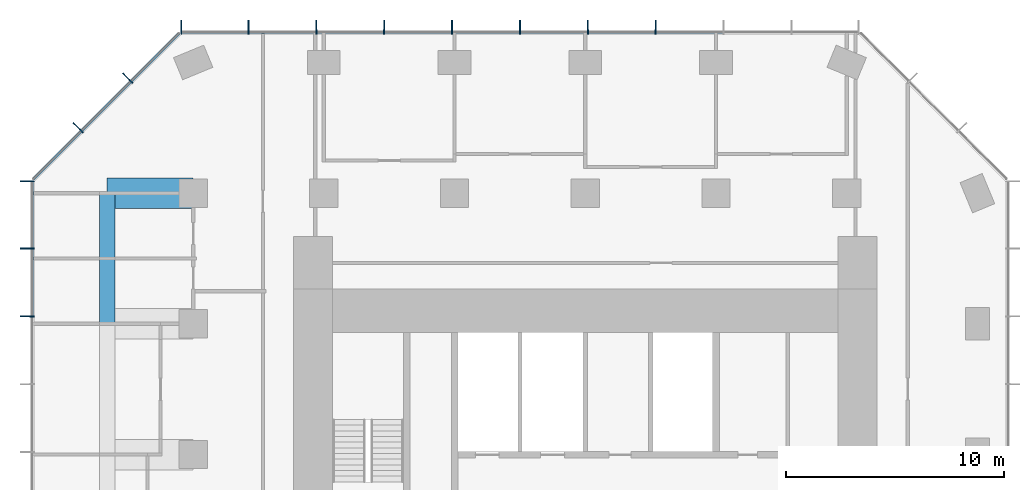
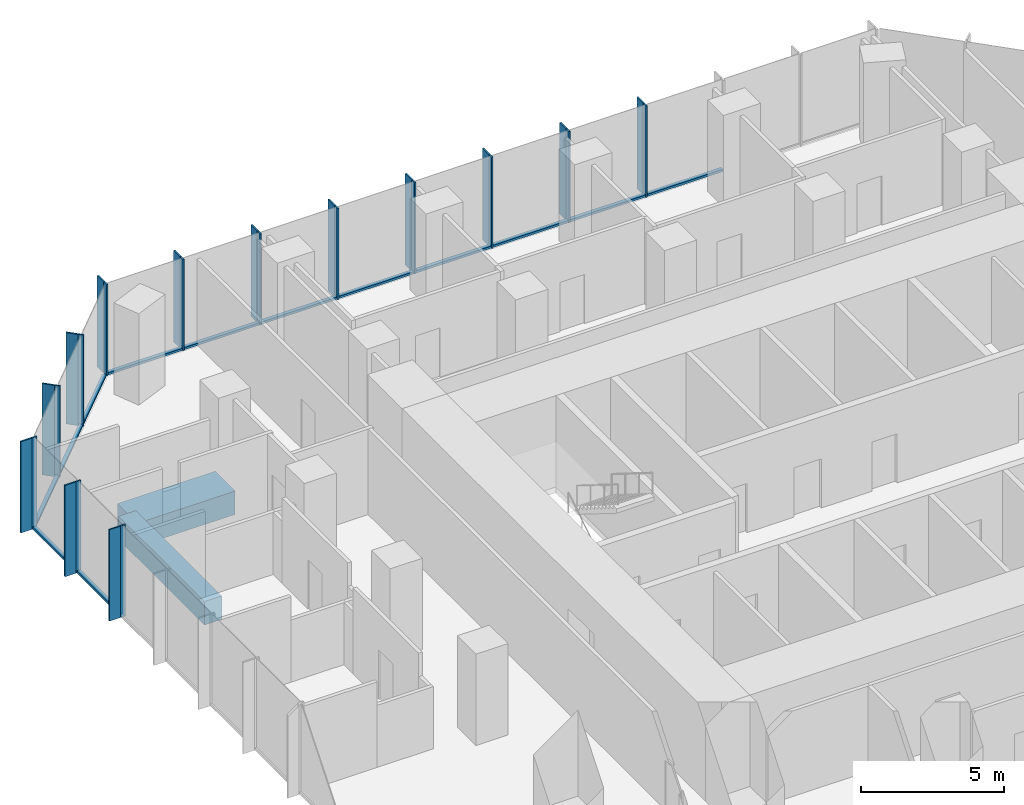
# One storey, part 5 of 11: 39 members, 2 beams, 3 elements without a shape of their own.
"""IFC4 building model written with IfcOpenShell, lengths in metres."""

from ifc_helpers import new_model, si_unit, direction, frame, origin, origin_2d, place, context, subcontext, project, spatial, rectangle, extrude, material, layer, layer_set, material_profile, profile_set, type_object, element, aggregate, save


model = new_model("IFC4")

# Units and contexts
model_context = context("Model", 3, precision=1e-05, world=origin(), true_north=direction((0.0, 1.0)))
body_context = subcontext(model_context, "Body", "Model", "MODEL_VIEW")
ifc_project = project(units=[si_unit("LENGTHUNIT", "METRE"), si_unit("AREAUNIT", "SQUARE_METRE"), si_unit("VOLUMEUNIT", "CUBIC_METRE"), si_unit("PLANEANGLEUNIT", "RADIAN"), si_unit("MASSUNIT", "GRAM", prefix="KILO")], contexts=[model_context])

# Site, building, storey
site_placement = place(None, origin())
site = spatial("IfcSite", under=ifc_project, at=site_placement, CompositionType="ELEMENT")
building_placement = place(site_placement, origin())
building = spatial("IfcBuilding", under=site, at=building_placement, Name="Highveld Stack Headquarters", CompositionType="ELEMENT")
storey_placement = place(building_placement, frame((0.0, 0.0, 216.199951171875)))
storey = spatial("IfcBuildingStorey", under=building, at=storey_placement, Name="L53", CompositionType="ELEMENT", Elevation=216.199951171875)

# Beam
ifc_material_1 = material(Name="Concrete C60/75", Category="concrete")
ifc_material_profile_1 = material_profile(ifc_material_1, rectangle(XDim=1.39990234375, YDim=1.0, at=origin_2d()), Name="RC 1400x1000")
ifc_profile_set_1 = profile_set([ifc_material_profile_1], Name="Concrete C60/75")
beam_type_1 = type_object("IfcBeamType", Name="CANTILEVER RIB RC 1400x1000", PredefinedType="USERDEFINED", material=ifc_profile_set_1)
beam_1_placement = place(storey_placement, frame((-12.0, 18.0, -0.75), z_axis=(-1.0, 0.0, 0.0), x_axis=(0.0, -1.0, 0.0)))
element("IfcBeam", 1, at=beam_1_placement, inside=storey, type_object=beam_type_1, Name="Cantilever rib 4/H L53", ObjectType="CANTILEVER RIB", PredefinedType="USERDEFINED", context=body_context, shape_type="SweptSolid", body=[
    extrude(rectangle(XDim=1.39990234375, YDim=1.0, at=origin_2d()), origin(), (0.0, 0.0, 1.0), 3.949951171875),
])

# Curtain wall, members
ifc_material_2 = material(Name="Aluminium bronze anodised", Category="aluminium")
ifc_layer_1 = layer(ifc_material_2, 0.199951171875)
ifc_layer_set_1 = layer_set([ifc_layer_1], Name="Aluminium bronze anodised")
curtain_wall_type_1 = type_object("IfcCurtainWallType", Name="CW1 TOWER UNITISED CURTAIN WALL", PredefinedType="NOTDEFINED", material=ifc_layer_set_1)
curtain_wall_1_placement = place(storey_placement, origin())
curtain_wall_1 = element("IfcCurtainWall", 2, at=curtain_wall_1_placement, inside=storey, type_object=curtain_wall_type_1, Name="Curtain wall CW1 L53 N", PredefinedType="NOTDEFINED")
ifc_material_3 = material(Name="Aluminium bronze anodised", Category="aluminium")
ifc_material_profile_2 = material_profile(ifc_material_3, rectangle(XDim=0.449951171875, YDim=0.06005859375, at=origin_2d()), Name="FIN 450x60")
ifc_profile_set_2 = profile_set([ifc_material_profile_2], Name="Aluminium bronze anodised")
member_type_1 = type_object("IfcMemberType", Name="CW1 BRONZE FIN 450x60", PredefinedType="USERDEFINED", material=ifc_profile_set_2)
member_1_placement = place(storey_placement, frame((9.23193359375, 25.72509765625, 0.0), z_axis=(0.0, 0.0, 1.0), x_axis=(0.0, -1.0, 0.0)))
member_1 = element("IfcMember", 3, at=member_1_placement, type_object=member_type_1, Name="CW1 fin L53 4", ObjectType="FIN", PredefinedType="USERDEFINED", context=body_context, shape_type="SweptSolid", body=[
    extrude(rectangle(XDim=0.449951171875, YDim=0.06005859375, at=origin_2d()), origin(), (0.0, 0.0, 1.0), 3.900146484375),
])
member_2_placement = place(storey_placement, frame((6.115966796875, 25.72509765625, 0.0), z_axis=(0.0, 0.0, 1.0), x_axis=(0.0, -1.0, 0.0)))
member_2 = element("IfcMember", 4, at=member_2_placement, type_object=member_type_1, Name="CW1 fin L53 5", ObjectType="FIN", PredefinedType="USERDEFINED", context=body_context, shape_type="SweptSolid", body=[
    extrude(rectangle(XDim=0.449951171875, YDim=0.06005859375, at=origin_2d()), origin(), (0.0, 0.0, 1.0), 3.900146484375),
])
member_3_placement = place(storey_placement, frame((3.0, 25.72509765625, 0.0), z_axis=(0.0, 0.0, 1.0), x_axis=(0.0, -1.0, 0.0)))
member_3 = element("IfcMember", 5, at=member_3_placement, type_object=member_type_1, Name="CW1 fin L53 6", ObjectType="FIN", PredefinedType="USERDEFINED", context=body_context, shape_type="SweptSolid", body=[
    extrude(rectangle(XDim=0.449951171875, YDim=0.06005859375, at=origin_2d()), origin(), (0.0, 0.0, 1.0), 3.900146484375),
])
member_4_placement = place(storey_placement, frame((-0.115966796875, 25.72509765625, 0.0), z_axis=(0.0, 0.0, 1.0), x_axis=(0.0, -1.0, 0.0)))
member_4 = element("IfcMember", 6, at=member_4_placement, type_object=member_type_1, Name="CW1 fin L53 7", ObjectType="FIN", PredefinedType="USERDEFINED", context=body_context, shape_type="SweptSolid", body=[
    extrude(rectangle(XDim=0.449951171875, YDim=0.06005859375, at=origin_2d()), origin(), (0.0, 0.0, 1.0), 3.900146484375),
])
member_5_placement = place(storey_placement, frame((-3.23193359375, 25.72509765625, 0.0), z_axis=(0.0, 0.0, 1.0), x_axis=(0.0, -1.0, 0.0)))
member_5 = element("IfcMember", 7, at=member_5_placement, type_object=member_type_1, Name="CW1 fin L53 8", ObjectType="FIN", PredefinedType="USERDEFINED", context=body_context, shape_type="SweptSolid", body=[
    extrude(rectangle(XDim=0.449951171875, YDim=0.06005859375, at=origin_2d()), origin(), (0.0, 0.0, 1.0), 3.900146484375),
])
member_6_placement = place(storey_placement, frame((-6.347900390625, 25.72509765625, 0.0), z_axis=(0.0, 0.0, 1.0), x_axis=(0.0, -1.0, 0.0)))
member_6 = element("IfcMember", 8, at=member_6_placement, type_object=member_type_1, Name="CW1 fin L53 9", ObjectType="FIN", PredefinedType="USERDEFINED", context=body_context, shape_type="SweptSolid", body=[
    extrude(rectangle(XDim=0.449951171875, YDim=0.06005859375, at=origin_2d()), origin(), (0.0, 0.0, 1.0), 3.900146484375),
])
member_7_placement = place(storey_placement, frame((-9.4638671875, 25.72509765625, 0.0), z_axis=(0.0, 0.0, 1.0), x_axis=(0.0, -1.0, 0.0)))
member_7 = element("IfcMember", 9, at=member_7_placement, type_object=member_type_1, Name="CW1 fin L53 10", ObjectType="FIN", PredefinedType="USERDEFINED", context=body_context, shape_type="SweptSolid", body=[
    extrude(rectangle(XDim=0.449951171875, YDim=0.06005859375, at=origin_2d()), origin(), (0.0, 0.0, 1.0), 3.900146484375),
])
member_8_placement = place(storey_placement, frame((-12.54736328125, 25.72509765625, 0.0), z_axis=(0.0, 0.0, 1.0), x_axis=(0.0, -1.0, 0.0)))
member_8 = element("IfcMember", 10, at=member_8_placement, type_object=member_type_1, Name="CW1 fin L53 11", ObjectType="FIN", PredefinedType="USERDEFINED", context=body_context, shape_type="SweptSolid", body=[
    extrude(rectangle(XDim=0.449951171875, YDim=0.06005859375, at=origin_2d()), origin(), (0.0, 0.0, 1.0), 3.900146484375),
])

curtain_wall_2_placement = place(storey_placement, origin())
curtain_wall_2 = element("IfcCurtainWall", 11, at=curtain_wall_2_placement, inside=storey, type_object=curtain_wall_type_1, Name="Curtain wall CW1 L53 W", PredefinedType="NOTDEFINED")
member_9_placement = place(storey_placement, frame((-19.72509765625, 18.54736328125, 0.0), z_axis=(0.0, 0.0, 1.0), x_axis=(1.0, 0.0, 0.0)))
member_9 = element("IfcMember", 12, at=member_9_placement, type_object=member_type_1, Name="CW1 fin L53 1", ObjectType="FIN", PredefinedType="USERDEFINED", context=body_context, shape_type="SweptSolid", body=[
    extrude(rectangle(XDim=0.449951171875, YDim=0.06005859375, at=origin_2d()), origin(), (0.0, 0.0, 1.0), 3.900146484375),
])
member_10_placement = place(storey_placement, frame((-19.72509765625, 15.4638671875, 0.0), z_axis=(0.0, 0.0, 1.0), x_axis=(1.0, 0.0, 0.0)))
member_10 = element("IfcMember", 13, at=member_10_placement, type_object=member_type_1, Name="CW1 fin L53 2", ObjectType="FIN", PredefinedType="USERDEFINED", context=body_context, shape_type="SweptSolid", body=[
    extrude(rectangle(XDim=0.449951171875, YDim=0.06005859375, at=origin_2d()), origin(), (0.0, 0.0, 1.0), 3.900146484375),
])
member_11_placement = place(storey_placement, frame((-19.72509765625, 12.347900390625, 0.0), z_axis=(0.0, 0.0, 1.0), x_axis=(1.0, 0.0, 0.0)))
member_11 = element("IfcMember", 14, at=member_11_placement, type_object=member_type_1, Name="CW1 fin L53 3", ObjectType="FIN", PredefinedType="USERDEFINED", context=body_context, shape_type="SweptSolid", body=[
    extrude(rectangle(XDim=0.449951171875, YDim=0.06005859375, at=origin_2d()), origin(), (0.0, 0.0, 1.0), 3.900146484375),
])

# Member
ifc_material_4 = material(Name="Aluminium bronze anodised", Category="aluminium")
ifc_material_profile_3 = material_profile(ifc_material_4, rectangle(XDim=0.199951171875, YDim=0.06494140625, at=origin_2d()), Name="CW1 MULLION 65x200")
ifc_profile_set_3 = profile_set([ifc_material_profile_3], Name="Aluminium bronze anodised")
member_type_2 = type_object("IfcMemberType", Name="CW1 MULLION 65x200", PredefinedType="MULLION", material=ifc_profile_set_3)
member_12_placement = place(storey_placement, frame((9.23193359375, 25.39990234375, 0.0), z_axis=(0.0, 0.0, 1.0), x_axis=(0.0, -1.0, 0.0)))
member_12 = element("IfcMember", 15, at=member_12_placement, type_object=member_type_2, Name="CW1 mullion L53 4", PredefinedType="MULLION", context=body_context, shape_type="SweptSolid", body=[
    extrude(rectangle(XDim=0.199951171875, YDim=0.06494140625, at=origin_2d()), origin(), (0.0, 0.0, 1.0), 3.900146484375),
])

member_13_placement = place(storey_placement, frame((6.115966796875, 25.39990234375, 0.0), z_axis=(0.0, 0.0, 1.0), x_axis=(0.0, -1.0, 0.0)))
member_13 = element("IfcMember", 16, at=member_13_placement, type_object=member_type_2, Name="CW1 mullion L53 5", PredefinedType="MULLION", context=body_context, shape_type="SweptSolid", body=[
    extrude(rectangle(XDim=0.199951171875, YDim=0.06494140625, at=origin_2d()), origin(), (0.0, 0.0, 1.0), 3.900146484375),
])

member_14_placement = place(storey_placement, frame((3.0, 25.39990234375, 0.0), z_axis=(0.0, 0.0, 1.0), x_axis=(0.0, -1.0, 0.0)))
member_14 = element("IfcMember", 17, at=member_14_placement, type_object=member_type_2, Name="CW1 mullion L53 6", PredefinedType="MULLION", context=body_context, shape_type="SweptSolid", body=[
    extrude(rectangle(XDim=0.199951171875, YDim=0.06494140625, at=origin_2d()), origin(), (0.0, 0.0, 1.0), 3.900146484375),
])

member_15_placement = place(storey_placement, frame((-0.115966796875, 25.39990234375, 0.0), z_axis=(0.0, 0.0, 1.0), x_axis=(0.0, -1.0, 0.0)))
member_15 = element("IfcMember", 18, at=member_15_placement, type_object=member_type_2, Name="CW1 mullion L53 7", PredefinedType="MULLION", context=body_context, shape_type="SweptSolid", body=[
    extrude(rectangle(XDim=0.199951171875, YDim=0.06494140625, at=origin_2d()), origin(), (0.0, 0.0, 1.0), 3.900146484375),
])

member_16_placement = place(storey_placement, frame((-3.23193359375, 25.39990234375, 0.0), z_axis=(0.0, 0.0, 1.0), x_axis=(0.0, -1.0, 0.0)))
member_16 = element("IfcMember", 19, at=member_16_placement, type_object=member_type_2, Name="CW1 mullion L53 8", PredefinedType="MULLION", context=body_context, shape_type="SweptSolid", body=[
    extrude(rectangle(XDim=0.199951171875, YDim=0.06494140625, at=origin_2d()), origin(), (0.0, 0.0, 1.0), 3.900146484375),
])

member_17_placement = place(storey_placement, frame((-6.347900390625, 25.39990234375, 0.0), z_axis=(0.0, 0.0, 1.0), x_axis=(0.0, -1.0, 0.0)))
member_17 = element("IfcMember", 20, at=member_17_placement, type_object=member_type_2, Name="CW1 mullion L53 9", PredefinedType="MULLION", context=body_context, shape_type="SweptSolid", body=[
    extrude(rectangle(XDim=0.199951171875, YDim=0.06494140625, at=origin_2d()), origin(), (0.0, 0.0, 1.0), 3.900146484375),
])

member_18_placement = place(storey_placement, frame((-9.4638671875, 25.39990234375, 0.0), z_axis=(0.0, 0.0, 1.0), x_axis=(0.0, -1.0, 0.0)))
member_18 = element("IfcMember", 21, at=member_18_placement, type_object=member_type_2, Name="CW1 mullion L53 10", PredefinedType="MULLION", context=body_context, shape_type="SweptSolid", body=[
    extrude(rectangle(XDim=0.199951171875, YDim=0.06494140625, at=origin_2d()), origin(), (0.0, 0.0, 1.0), 3.900146484375),
])

member_19_placement = place(storey_placement, frame((-12.54736328125, 25.39990234375, 0.0), z_axis=(0.0, 0.0, 1.0), x_axis=(0.0, -1.0, 0.0)))
member_19 = element("IfcMember", 22, at=member_19_placement, type_object=member_type_2, Name="CW1 mullion L53 11", PredefinedType="MULLION", context=body_context, shape_type="SweptSolid", body=[
    extrude(rectangle(XDim=0.199951171875, YDim=0.06494140625, at=origin_2d()), origin(), (0.0, 0.0, 1.0), 3.900146484375),
])

member_20_placement = place(storey_placement, frame((-19.39990234375, 18.54736328125, 0.0), z_axis=(0.0, 0.0, 1.0), x_axis=(1.0, 0.0, 0.0)))
member_20 = element("IfcMember", 23, at=member_20_placement, type_object=member_type_2, Name="CW1 mullion L53 1", PredefinedType="MULLION", context=body_context, shape_type="SweptSolid", body=[
    extrude(rectangle(XDim=0.199951171875, YDim=0.06494140625, at=origin_2d()), origin(), (0.0, 0.0, 1.0), 3.900146484375),
])

member_21_placement = place(storey_placement, frame((-19.39990234375, 15.4638671875, 0.0), z_axis=(0.0, 0.0, 1.0), x_axis=(1.0, 0.0, 0.0)))
member_21 = element("IfcMember", 24, at=member_21_placement, type_object=member_type_2, Name="CW1 mullion L53 2", PredefinedType="MULLION", context=body_context, shape_type="SweptSolid", body=[
    extrude(rectangle(XDim=0.199951171875, YDim=0.06494140625, at=origin_2d()), origin(), (0.0, 0.0, 1.0), 3.900146484375),
])

member_22_placement = place(storey_placement, frame((-19.39990234375, 12.347900390625, 0.0), z_axis=(0.0, 0.0, 1.0), x_axis=(1.0, 0.0, 0.0)))
member_22 = element("IfcMember", 25, at=member_22_placement, type_object=member_type_2, Name="CW1 mullion L53 3", PredefinedType="MULLION", context=body_context, shape_type="SweptSolid", body=[
    extrude(rectangle(XDim=0.199951171875, YDim=0.06494140625, at=origin_2d()), origin(), (0.0, 0.0, 1.0), 3.900146484375),
])

ifc_material_5 = material(Name="Aluminium bronze anodised", Category="aluminium")
ifc_material_profile_4 = material_profile(ifc_material_5, rectangle(XDim=0.14990234375, YDim=0.10009765625, at=origin_2d()), Name="CW1 TRANSOM 150x100")
ifc_profile_set_4 = profile_set([ifc_material_profile_4], Name="Aluminium bronze anodised")
member_type_3 = type_object("IfcMemberType", Name="CW1 STACK TRANSOM 150x100", PredefinedType="USERDEFINED", material=ifc_profile_set_4)
member_23_placement = place(storey_placement, frame((12.3154296875, 25.39990234375, 0.050048828125), z_axis=(-1.0, 0.0, 0.0), x_axis=(0.0, -1.0, 0.0)))
member_23 = element("IfcMember", 26, at=member_23_placement, type_object=member_type_3, Name="CW1 transom L53 3.1", ObjectType="TRANSOM", PredefinedType="USERDEFINED", context=body_context, shape_type="SweptSolid", body=[
    extrude(rectangle(XDim=0.14990234375, YDim=0.10009765625, at=origin_2d()), origin(), (0.0, 0.0, 1.0), 3.051025390625),
])

member_24_placement = place(storey_placement, frame((9.199462890625, 25.39990234375, 0.050048828125), z_axis=(-1.0, 0.0, 0.0), x_axis=(0.0, -1.0, 0.0)))
member_24 = element("IfcMember", 27, at=member_24_placement, type_object=member_type_3, Name="CW1 transom L53 4.1", ObjectType="TRANSOM", PredefinedType="USERDEFINED", context=body_context, shape_type="SweptSolid", body=[
    extrude(rectangle(XDim=0.14990234375, YDim=0.10009765625, at=origin_2d()), origin(), (0.0, 0.0, 1.0), 3.051025390625),
])

member_25_placement = place(storey_placement, frame((6.08349609375, 25.39990234375, 0.050048828125), z_axis=(-1.0, 0.0, 0.0), x_axis=(0.0, -1.0, 0.0)))
member_25 = element("IfcMember", 28, at=member_25_placement, type_object=member_type_3, Name="CW1 transom L53 5.1", ObjectType="TRANSOM", PredefinedType="USERDEFINED", context=body_context, shape_type="SweptSolid", body=[
    extrude(rectangle(XDim=0.14990234375, YDim=0.10009765625, at=origin_2d()), origin(), (0.0, 0.0, 1.0), 3.051025390625),
])

member_26_placement = place(storey_placement, frame((2.967529296875, 25.39990234375, 0.050048828125), z_axis=(-1.0, 0.0, 0.0), x_axis=(0.0, -1.0, 0.0)))
member_26 = element("IfcMember", 29, at=member_26_placement, type_object=member_type_3, Name="CW1 transom L53 6.1", ObjectType="TRANSOM", PredefinedType="USERDEFINED", context=body_context, shape_type="SweptSolid", body=[
    extrude(rectangle(XDim=0.14990234375, YDim=0.10009765625, at=origin_2d()), origin(), (0.0, 0.0, 1.0), 3.051025390625),
])

member_27_placement = place(storey_placement, frame((-0.1484375, 25.39990234375, 0.050048828125), z_axis=(-1.0, 0.0, 0.0), x_axis=(0.0, -1.0, 0.0)))
member_27 = element("IfcMember", 30, at=member_27_placement, type_object=member_type_3, Name="CW1 transom L53 7.1", ObjectType="TRANSOM", PredefinedType="USERDEFINED", context=body_context, shape_type="SweptSolid", body=[
    extrude(rectangle(XDim=0.14990234375, YDim=0.10009765625, at=origin_2d()), origin(), (0.0, 0.0, 1.0), 3.051025390625),
])

member_28_placement = place(storey_placement, frame((-3.264404296875, 25.39990234375, 0.050048828125), z_axis=(-1.0, 0.0, 0.0), x_axis=(0.0, -1.0, 0.0)))
member_28 = element("IfcMember", 31, at=member_28_placement, type_object=member_type_3, Name="CW1 transom L53 8.1", ObjectType="TRANSOM", PredefinedType="USERDEFINED", context=body_context, shape_type="SweptSolid", body=[
    extrude(rectangle(XDim=0.14990234375, YDim=0.10009765625, at=origin_2d()), origin(), (0.0, 0.0, 1.0), 3.051025390625),
])

member_29_placement = place(storey_placement, frame((-6.38037109375, 25.39990234375, 0.050048828125), z_axis=(-1.0, 0.0, 0.0), x_axis=(0.0, -1.0, 0.0)))
member_29 = element("IfcMember", 32, at=member_29_placement, type_object=member_type_3, Name="CW1 transom L53 9.1", ObjectType="TRANSOM", PredefinedType="USERDEFINED", context=body_context, shape_type="SweptSolid", body=[
    extrude(rectangle(XDim=0.14990234375, YDim=0.10009765625, at=origin_2d()), origin(), (0.0, 0.0, 1.0), 3.051025390625),
])

member_30_placement = place(storey_placement, frame((-9.496337890625, 25.39990234375, 0.050048828125), z_axis=(-1.0, 0.0, 0.0), x_axis=(0.0, -1.0, 0.0)))
member_30 = element("IfcMember", 33, at=member_30_placement, type_object=member_type_3, Name="CW1 transom L53 10.1", ObjectType="TRANSOM", PredefinedType="USERDEFINED", context=body_context, shape_type="SweptSolid", body=[
    extrude(rectangle(XDim=0.14990234375, YDim=0.10009765625, at=origin_2d()), origin(), (0.0, 0.0, 1.0), 3.0185546875),
])

aggregate(curtain_wall_1, [member_12, member_1, member_13, member_2, member_14, member_3, member_15, member_4, member_16, member_5, member_17, member_6, member_18, member_7, member_19, member_8, member_23, member_24, member_25, member_26, member_27, member_28, member_29, member_30])

member_31_placement = place(storey_placement, frame((-19.39990234375, 18.514892578125, 0.050048828125), z_axis=(0.0, -1.0, 0.0), x_axis=(1.0, 0.0, 0.0)))
member_31 = element("IfcMember", 34, at=member_31_placement, type_object=member_type_3, Name="CW1 transom L53 1.1", ObjectType="TRANSOM", PredefinedType="USERDEFINED", context=body_context, shape_type="SweptSolid", body=[
    extrude(rectangle(XDim=0.14990234375, YDim=0.10009765625, at=origin_2d()), origin(), (0.0, 0.0, 1.0), 3.0185546875),
])

member_32_placement = place(storey_placement, frame((-19.39990234375, 15.431396484375, 0.050048828125), z_axis=(0.0, -1.0, 0.0), x_axis=(1.0, 0.0, 0.0)))
member_32 = element("IfcMember", 35, at=member_32_placement, type_object=member_type_3, Name="CW1 transom L53 2.1", ObjectType="TRANSOM", PredefinedType="USERDEFINED", context=body_context, shape_type="SweptSolid", body=[
    extrude(rectangle(XDim=0.14990234375, YDim=0.10009765625, at=origin_2d()), origin(), (0.0, 0.0, 1.0), 3.051025390625),
])

aggregate(curtain_wall_2, [member_20, member_9, member_21, member_10, member_22, member_11, member_31, member_32])

# Curtain wall, members
ifc_material_6 = material(Name="Aluminium bronze anodised", Category="aluminium")
ifc_layer_2 = layer(ifc_material_6, 0.199951171875)
ifc_layer_set_2 = layer_set([ifc_layer_2], Name="Aluminium bronze anodised")
curtain_wall_type_2 = type_object("IfcCurtainWallType", Name="CW2 TOWER CHAMFER UNITISED CURTAIN WALL", PredefinedType="NOTDEFINED", material=ifc_layer_set_2)
curtain_wall_3_placement = place(storey_placement, origin())
curtain_wall_3 = element("IfcCurtainWall", 36, at=curtain_wall_3_placement, inside=storey, type_object=curtain_wall_type_2, Name="Curtain wall CW2 L53 NW", PredefinedType="NOTDEFINED")
ifc_material_7 = material(Name="Aluminium bronze anodised", Category="aluminium")
ifc_material_profile_5 = material_profile(ifc_material_7, rectangle(XDim=0.449951171875, YDim=0.06005859375, at=origin_2d()), Name="FIN 450x60")
ifc_profile_set_5 = profile_set([ifc_material_profile_5], Name="Aluminium bronze anodised")
member_type_4 = type_object("IfcMemberType", Name="CW2 BRONZE FIN 450x60", PredefinedType="USERDEFINED", material=ifc_profile_set_5)
member_33_placement = place(storey_placement, frame((-15.0830078125, 23.3564453125, 0.0), z_axis=(0.0, 0.0, 1.0), x_axis=(0.707106781187, -0.707106781187, 0.0)))
member_33 = element("IfcMember", 37, at=member_33_placement, type_object=member_type_4, Name="CW2 fin L53 1", ObjectType="FIN", PredefinedType="USERDEFINED", context=body_context, shape_type="SweptSolid", body=[
    extrude(rectangle(XDim=0.449951171875, YDim=0.06005859375, at=origin_2d()), origin(), (0.0, 0.0, 1.0), 3.900146484375),
])
member_34_placement = place(storey_placement, frame((-17.3564453125, 21.0830078125, 0.0), z_axis=(0.0, 0.0, 1.0), x_axis=(0.707106781187, -0.707106781187, 0.0)))
member_34 = element("IfcMember", 38, at=member_34_placement, type_object=member_type_4, Name="CW2 fin L53 2", ObjectType="FIN", PredefinedType="USERDEFINED", context=body_context, shape_type="SweptSolid", body=[
    extrude(rectangle(XDim=0.449951171875, YDim=0.06005859375, at=origin_2d()), origin(), (0.0, 0.0, 1.0), 3.900146484375),
])
ifc_material_8 = material(Name="Aluminium bronze anodised", Category="aluminium")
ifc_material_profile_6 = material_profile(ifc_material_8, rectangle(XDim=0.199951171875, YDim=0.06494140625, at=origin_2d()), Name="CW2 MULLION 65x200")
ifc_profile_set_6 = profile_set([ifc_material_profile_6], Name="Aluminium bronze anodised")
member_type_5 = type_object("IfcMemberType", Name="CW2 MULLION 65x200", PredefinedType="MULLION", material=ifc_profile_set_6)
member_35_placement = place(storey_placement, frame((-14.853271484375, 23.126708984375, 0.0), z_axis=(0.0, 0.0, 1.0), x_axis=(0.707106781187, -0.707106781187, 0.0)))
member_35 = element("IfcMember", 39, at=member_35_placement, type_object=member_type_5, Name="CW2 mullion L53 1", PredefinedType="MULLION", context=body_context, shape_type="SweptSolid", body=[
    extrude(rectangle(XDim=0.199951171875, YDim=0.06494140625, at=origin_2d()), origin(), (0.0, 0.0, 1.0), 3.900146484375),
])
member_36_placement = place(storey_placement, frame((-17.126708984375, 20.853271484375, 0.0), z_axis=(0.0, 0.0, 1.0), x_axis=(0.707106781187, -0.707106781187, 0.0)))
member_36 = element("IfcMember", 40, at=member_36_placement, type_object=member_type_5, Name="CW2 mullion L53 2", PredefinedType="MULLION", context=body_context, shape_type="SweptSolid", body=[
    extrude(rectangle(XDim=0.199951171875, YDim=0.06494140625, at=origin_2d()), origin(), (0.0, 0.0, 1.0), 3.900146484375),
])
ifc_material_9 = material(Name="Aluminium bronze anodised", Category="aluminium")
ifc_material_profile_7 = material_profile(ifc_material_9, rectangle(XDim=0.14990234375, YDim=0.10009765625, at=origin_2d()), Name="CW2 TRANSOM 150x100")
ifc_profile_set_7 = profile_set([ifc_material_profile_7], Name="Aluminium bronze anodised")
member_type_6 = type_object("IfcMemberType", Name="CW2 STACK TRANSOM 150x100", PredefinedType="USERDEFINED", material=ifc_profile_set_7)
member_37_placement = place(storey_placement, frame((-12.650634765625, 25.329345703125, 0.050048828125), z_axis=(-0.707106781187, -0.707106781187, 0.0), x_axis=(0.707106781187, -0.707106781187, 0.0)))
member_37 = element("IfcMember", 41, at=member_37_placement, type_object=member_type_6, Name="CW2 transom L53 1.1", ObjectType="TRANSOM", PredefinedType="USERDEFINED", context=body_context, shape_type="SweptSolid", body=[
    extrude(rectangle(XDim=0.14990234375, YDim=0.10009765625, at=origin_2d()), origin(), (0.0, 0.0, 1.0), 3.08251953125),
])
member_38_placement = place(storey_placement, frame((-14.876220703125, 23.103759765625, 0.050048828125), z_axis=(-0.707106781187, -0.707106781187, 0.0), x_axis=(0.707106781187, -0.707106781187, 0.0)))
member_38 = element("IfcMember", 42, at=member_38_placement, type_object=member_type_6, Name="CW2 transom L53 2.1", ObjectType="TRANSOM", PredefinedType="USERDEFINED", context=body_context, shape_type="SweptSolid", body=[
    extrude(rectangle(XDim=0.14990234375, YDim=0.10009765625, at=origin_2d()), origin(), (0.0, 0.0, 1.0), 3.150146484375),
])
member_39_placement = place(storey_placement, frame((-17.149658203125, 20.830322265625, 0.050048828125), z_axis=(-0.707106781187, -0.707106781187, 0.0), x_axis=(0.707106781187, -0.707106781187, 0.0)))
member_39 = element("IfcMember", 43, at=member_39_placement, type_object=member_type_6, Name="CW2 transom L53 3.1", ObjectType="TRANSOM", PredefinedType="USERDEFINED", context=body_context, shape_type="SweptSolid", body=[
    extrude(rectangle(XDim=0.14990234375, YDim=0.10009765625, at=origin_2d()), origin(), (0.0, 0.0, 1.0), 3.08251953125),
])
aggregate(curtain_wall_3, [member_35, member_33, member_36, member_34, member_37, member_38, member_39])

# Beam
ifc_material_10 = material(Name="Concrete C60/75", Category="concrete")
ifc_material_profile_8 = material_profile(ifc_material_10, rectangle(XDim=0.699951171875, YDim=1.0, at=origin_2d()), Name="RC 700x1000")
ifc_profile_set_8 = profile_set([ifc_material_profile_8], Name="Concrete C60/75")
beam_type_2 = type_object("IfcBeamType", Name="RIB TIP BEAM RC 700x1000", PredefinedType="SPANDREL", material=ifc_profile_set_8)
beam_2_placement = place(storey_placement, frame((-15.949951171875, 12.0, -0.75), z_axis=(0.0, 1.0, 0.0), x_axis=(-1.0, 0.0, 0.0)))
element("IfcBeam", 44, at=beam_2_placement, inside=storey, type_object=beam_type_2, Name="Rib tip beam 4/G to 4/H L53", PredefinedType="SPANDREL", context=body_context, shape_type="SweptSolid", body=[
    extrude(rectangle(XDim=0.699951171875, YDim=1.0, at=origin_2d()), origin(), (0.0, 0.0, 1.0), 6.0),
])

save(model, "model.ifc")
